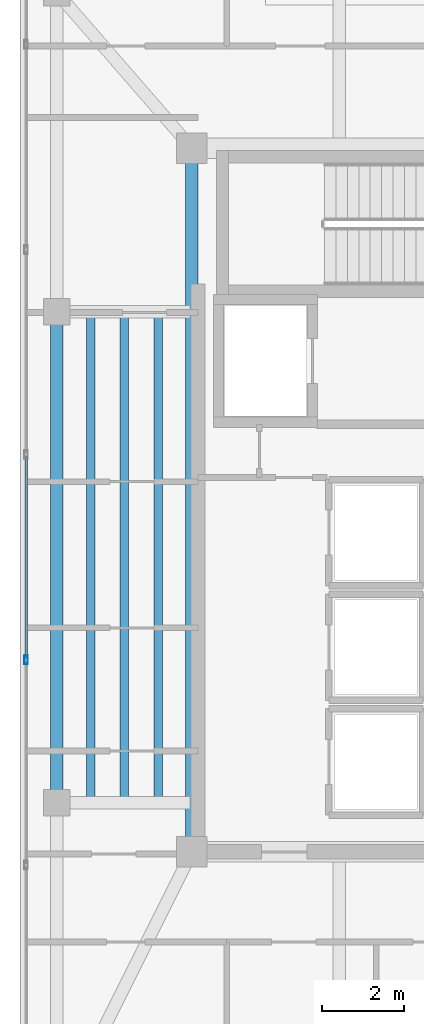
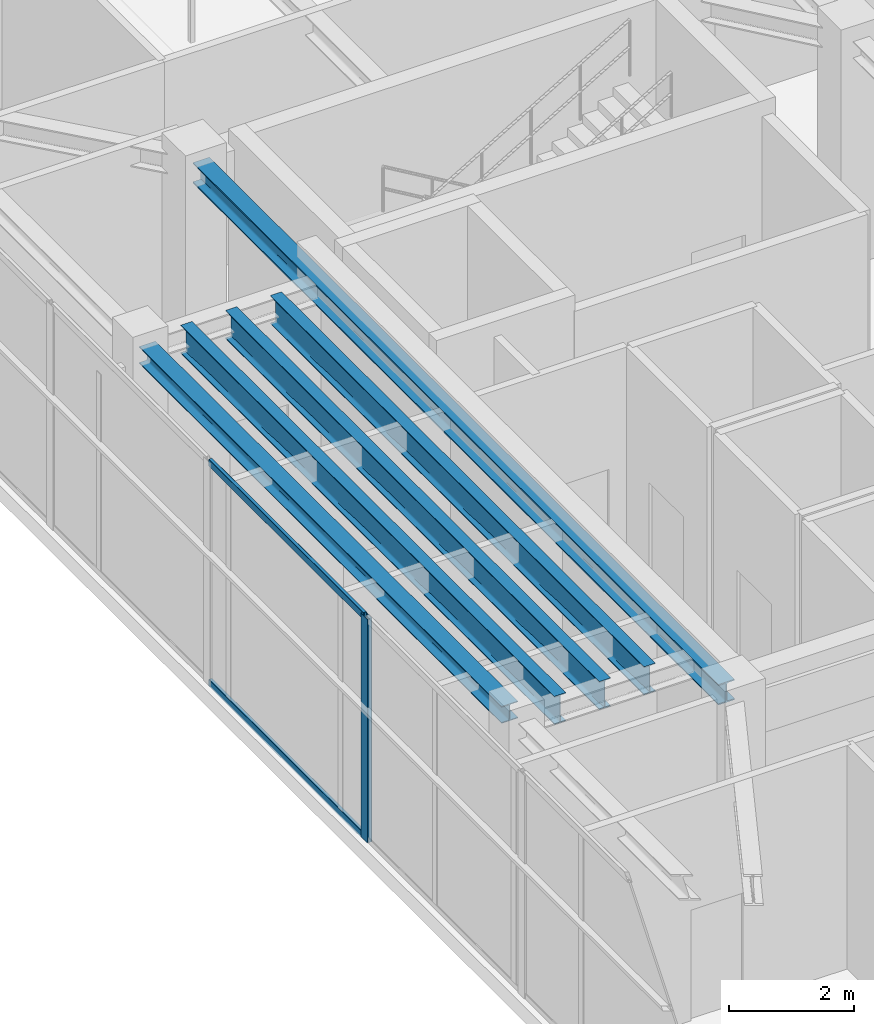
# One storey, part 5 of 25: 5 beams, 3 members, 1 element without a shape of its own.
"""IFC4 building model written with IfcOpenShell, lengths in metres."""

from ifc_helpers import new_model, si_unit, direction, frame, origin, origin_2d, place, context, subcontext, project, spatial, hollow_rectangle, i_section, extrude, material, layer, layer_set, material_profile, profile_set, type_object, element, aggregate, save


model = new_model("IFC4")

# Units and contexts
model_context = context("Model", 3, precision=1e-05, world=origin(), true_north=direction((0.0, 1.0)))
body_context = subcontext(model_context, "Body", "Model", "MODEL_VIEW")
ifc_project = project(units=[si_unit("LENGTHUNIT", "METRE"), si_unit("AREAUNIT", "SQUARE_METRE"), si_unit("VOLUMEUNIT", "CUBIC_METRE"), si_unit("PLANEANGLEUNIT", "RADIAN"), si_unit("MASSUNIT", "GRAM", prefix="KILO")], contexts=[model_context])

# Site, building, storey
site_placement = place(None, origin())
site = spatial("IfcSite", under=ifc_project, at=site_placement, CompositionType="ELEMENT")
building_placement = place(site_placement, origin())
building = spatial("IfcBuilding", under=site, at=building_placement, Name="Tarnavaz Court Tower", CompositionType="ELEMENT")
storey_placement = place(building_placement, frame((0.0, 0.0, 271.64990234375)))
storey = spatial("IfcBuildingStorey", under=building, at=storey_placement, Name="L74", CompositionType="ELEMENT", Elevation=271.64990234375)

# Beams
ifc_material_1 = material(Name="Steel S355", Category="steel")
ifc_material_profile_1 = material_profile(ifc_material_1, i_section(OverallWidth=0.300048828125, OverallDepth=0.39990234375, WebThickness=0.013427734375, FlangeThickness=0.02392578125, FilletRadius=0.027099609375, at=origin_2d()), Name="HEB 400")
ifc_profile_set_1 = profile_set([ifc_material_profile_1], Name="Steel S355")
beam_type_1 = type_object("IfcBeamType", Name="BM-G-HEB400", PredefinedType="USERDEFINED", material=ifc_profile_set_1)
beam_1_placement = place(storey_placement, frame((-18.60009765625, -6.97998046875, 4.150146484375), z_axis=(0.0, 1.0, 0.0), x_axis=(-1.0, 0.0, 0.0)))
element("IfcBeam", 1, at=beam_1_placement, inside=storey, type_object=beam_type_1, Name="L74 Beam IN-CW-SO-CW-NO", ObjectType="GIRDER", PredefinedType="USERDEFINED", context=body_context, shape_type="SweptSolid", body=[
    extrude(i_section(OverallWidth=0.300048828125, OverallDepth=0.39990234375, WebThickness=0.013427734375, FlangeThickness=0.02392578125, FilletRadius=0.027099609375, at=origin_2d()), origin(), (0.0, 0.0, 1.0), 16.760009765625),
])
ifc_material_profile_2 = material_profile(ifc_material_1, i_section(OverallWidth=0.2099609375, OverallDepth=0.550048828125, WebThickness=0.010986328125, FlangeThickness=0.01708984375, FilletRadius=0.02392578125, at=origin_2d()), Name="IPE 550")
ifc_profile_set_2 = profile_set([ifc_material_profile_2], Name="Steel S355")
beam_type_2 = type_object("IfcBeamType", Name="BM-J-IPE550", PredefinedType="JOIST", material=ifc_profile_set_2)
for number, where, z_axis, x_axis, name in (
    (2, (-19.425048828125, -5.9599609375, 4.0751953125), (0.0, 1.0, 0.0), (-1.0, 0.0, 0.0), "L74 Beam JW1"),
    (3, (-20.25, -5.9599609375, 4.0751953125), (0.0, 1.0, 0.0), (-1.0, 0.0, 0.0), "L74 Beam JW2"),
    (4, (-21.074951171875, -5.9599609375, 4.0751953125), (0.0, 1.0, 0.0), (-1.0, 0.0, 0.0), "L74 Beam JW3"),
):
    element("IfcBeam", number, at=place(storey_placement, frame(where, z_axis=z_axis, x_axis=x_axis)), inside=storey, type_object=beam_type_2, Name=name, PredefinedType="JOIST", context=body_context, shape_type="SweptSolid", body=[
        extrude(i_section(OverallWidth=0.2099609375, OverallDepth=0.550048828125, WebThickness=0.010986328125, FlangeThickness=0.01708984375, FilletRadius=0.02392578125, at=origin_2d()), origin(), (0.0, 0.0, 1.0), 11.919921875),
    ])
ifc_material_profile_3 = material_profile(ifc_material_1, i_section(OverallWidth=0.300048828125, OverallDepth=0.330078125, WebThickness=0.009521484375, FlangeThickness=0.0166015625, FilletRadius=0.027099609375, at=origin_2d()), Name="HEA 340")
ifc_profile_set_3 = profile_set([ifc_material_profile_3], Name="Steel S355")
beam_type_3 = type_object("IfcBeamType", Name="BM-SP-HEA340", PredefinedType="BEAM", material=ifc_profile_set_3)
beam_2_placement = place(storey_placement, frame((-21.89990234375, -5.780029296875, 4.18505859375), z_axis=(0.0, 1.0, 0.0), x_axis=(-1.0, 0.0, 0.0)))
element("IfcBeam", 5, at=beam_2_placement, inside=storey, type_object=beam_type_3, Name="L74 Beam PR-PW-2-PW-3", PredefinedType="BEAM", context=body_context, shape_type="SweptSolid", body=[
    extrude(i_section(OverallWidth=0.300048828125, OverallDepth=0.330078125, WebThickness=0.009521484375, FlangeThickness=0.0166015625, FilletRadius=0.027099609375, at=origin_2d()), origin(), (0.0, 0.0, 1.0), 11.56005859375),
])

# Curtain wall, members
ifc_material_2 = material(Name="Anodised Aluminium 6063-T6 and Solar Low-E Glazing", Category="aluminium")
ifc_layer = layer(ifc_material_2, 0.2099609375)
ifc_layer_set = layer_set([ifc_layer], Name="Anodised Aluminium 6063-T6 and Solar Low-E Glazing")
curtain_wall_type = type_object("IfcCurtainWallType", Name="CW-SYS-06", PredefinedType="NOTDEFINED", material=ifc_layer_set)
curtain_wall_placement = place(storey_placement, origin())
curtain_wall = element("IfcCurtainWall", 6, at=curtain_wall_placement, inside=storey, type_object=curtain_wall_type, Name="L74 Observation Curtain Wall 2", PredefinedType="NOTDEFINED")
ifc_material_3 = material(Name="Anodised Aluminium 6063-T6", Category="aluminium")
ifc_material_profile_4 = material_profile(ifc_material_3, hollow_rectangle(XDim=0.0849609375, YDim=0.219970703125, WallThickness=0.006103515625, InnerFilletRadius=0.006103515625, OuterFilletRadius=0.011962890625, at=origin_2d()), Name="ALU RHS 220X85X6")
ifc_profile_set_4 = profile_set([ifc_material_profile_4], Name="Anodised Aluminium 6063-T6")
member_type_1 = type_object("IfcMemberType", Name="CW-MUL-220", PredefinedType="MULLION", material=ifc_profile_set_4)
member_1_placement = place(storey_placement, frame((-22.64990234375, -2.507080078125, 0.0), z_axis=(0.0, 0.0, 1.0), x_axis=(-1.0, 0.0, 0.0)))
member_1 = element("IfcMember", 7, at=member_1_placement, type_object=member_type_1, Name="CW mullion 4", PredefinedType="MULLION", context=body_context, shape_type="SweptSolid", body=[
    extrude(hollow_rectangle(XDim=0.0849609375, YDim=0.219970703125, WallThickness=0.006103515625, InnerFilletRadius=0.006103515625, OuterFilletRadius=0.011962890625, at=origin_2d()), origin(), (0.0, 0.0, 1.0), 4.35009765625),
])
ifc_material_profile_5 = material_profile(ifc_material_3, hollow_rectangle(XDim=0.06494140625, YDim=0.139892578125, WallThickness=0.00390625, InnerFilletRadius=0.00390625, OuterFilletRadius=0.008056640625, at=origin_2d()), Name="ALU RHS 140X65X4")
ifc_profile_set_5 = profile_set([ifc_material_profile_5], Name="Anodised Aluminium 6063-T6")
member_type_2 = type_object("IfcMemberType", Name="CW-TRN-140", PredefinedType="USERDEFINED", material=ifc_profile_set_5)
member_2_placement = place(storey_placement, frame((-22.64990234375, -2.464599609375, 0.03271484375), z_axis=(0.0, 1.0, 0.0), x_axis=(-1.0, 0.0, 0.0)))
member_2 = element("IfcMember", 8, at=member_2_placement, type_object=member_type_2, Name="CW transom 4.1", ObjectType="TRANSOM", PredefinedType="USERDEFINED", context=body_context, shape_type="SweptSolid", body=[
    extrude(hollow_rectangle(XDim=0.06494140625, YDim=0.139892578125, WallThickness=0.00390625, InnerFilletRadius=0.00390625, OuterFilletRadius=0.008056640625, at=origin_2d()), origin(), (0.0, 0.0, 1.0), 4.92919921875),
])
member_3_placement = place(storey_placement, frame((-22.64990234375, -2.464599609375, 4.317626953125), z_axis=(0.0, 1.0, 0.0), x_axis=(-1.0, 0.0, 0.0)))
member_3 = element("IfcMember", 9, at=member_3_placement, type_object=member_type_2, Name="CW transom 4.2", ObjectType="TRANSOM", PredefinedType="USERDEFINED", context=body_context, shape_type="SweptSolid", body=[
    extrude(hollow_rectangle(XDim=0.06494140625, YDim=0.139892578125, WallThickness=0.00390625, InnerFilletRadius=0.00390625, OuterFilletRadius=0.008056640625, at=origin_2d()), origin(), (0.0, 0.0, 1.0), 4.92919921875),
])
aggregate(curtain_wall, [member_1, member_2, member_3])

save(model, "model.ifc")
